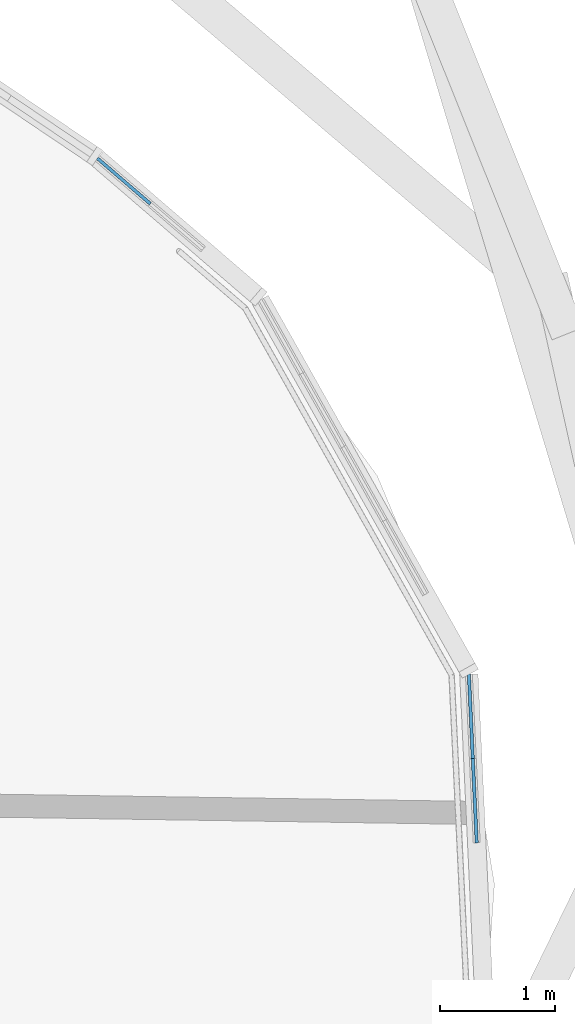
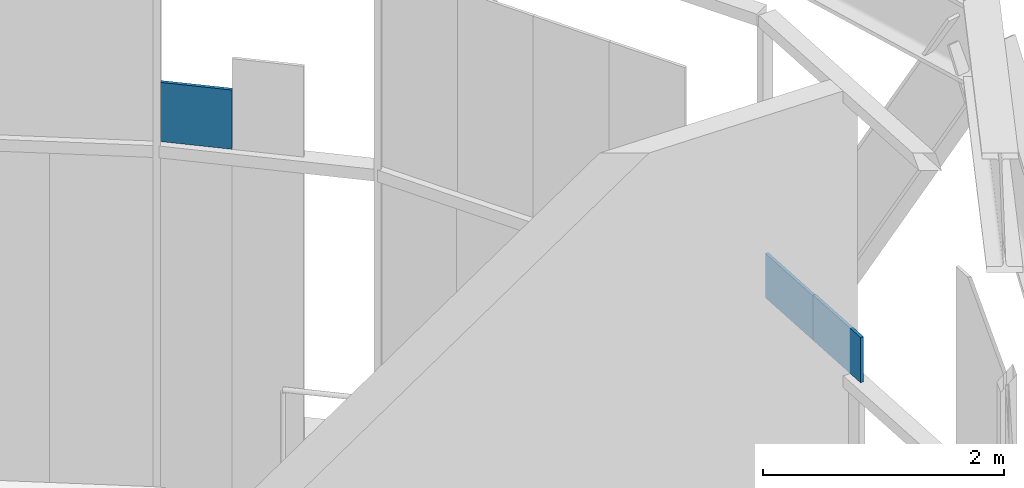
# One storey, part 17 of 24: 3 plates, 1 element without a shape of its own.
"""IFC4 building model written with IfcOpenShell, lengths in metres."""

from ifc_helpers import new_model, si_unit, direction, frame, origin, origin_2d, place, context, subcontext, project, spatial, rectangle, extrude, material, layer, layer_set, type_object, element, aggregate, save


model = new_model("IFC4")

# Units and contexts
model_context = context("Model", 3, precision=1e-05, world=origin(), true_north=direction((0.0, 1.0)))
body_context = subcontext(model_context, "Body", "Model", "MODEL_VIEW")
ifc_project = project(units=[si_unit("LENGTHUNIT", "METRE"), si_unit("AREAUNIT", "SQUARE_METRE"), si_unit("VOLUMEUNIT", "CUBIC_METRE"), si_unit("PLANEANGLEUNIT", "RADIAN"), si_unit("MASSUNIT", "GRAM", prefix="KILO")], contexts=[model_context])

# Site, building, storey
site_placement = place(None, origin())
site = spatial("IfcSite", under=ifc_project, at=site_placement, CompositionType="ELEMENT")
building_placement = place(site_placement, origin())
building = spatial("IfcBuilding", under=site, at=building_placement, Name="Spindle Arch Residences", CompositionType="ELEMENT")
storey_placement = place(building_placement, frame((0.0, 0.0, 219.89990234375)))
storey = spatial("IfcBuildingStorey", under=building, at=storey_placement, Name="L56", CompositionType="ELEMENT", Elevation=219.89990234375)

# Curtain wall, plates
ifc_material_1 = material(Name="Aluminium bronze unitised frame with tinted glass", Category="aluminium")
ifc_layer_1 = layer(ifc_material_1, 0.159912109375)
ifc_layer_set_1 = layer_set([ifc_layer_1], Name="CW-E double-height winter garden wall")
curtain_wall_type = type_object("IfcCurtainWallType", Name="CW-E double-height winter garden wall", PredefinedType="NOTDEFINED", material=ifc_layer_set_1)
curtain_wall_placement = place(storey_placement, origin())
curtain_wall = element("IfcCurtainWall", 1, at=curtain_wall_placement, inside=storey, type_object=curtain_wall_type, Name="CW-E L56 run 1", PredefinedType="NOTDEFINED")
ifc_material_2 = material(Name="Tinted laminated glass 28 mm", Category="glass")
ifc_layer_2 = layer(ifc_material_2, 0.028076171875)
ifc_layer_set_2 = layer_set([ifc_layer_2], Name="Tinted glass panel 28 mm")
plate_type = type_object("IfcPlateType", Name="Tinted glass panel 28 mm", PredefinedType="CURTAIN_PANEL", material=ifc_layer_set_2)
plate_1_placement = place(storey_placement, frame((28.131591796875, -0.322021484375, 3.460205078125), z_axis=(0.0, 0.0, 1.0), x_axis=(-0.046525313877, 0.99891711126, 0.0)))
plate_1 = element("IfcPlate", 2, at=plate_1_placement, type_object=plate_type, Name="CW-E panel 03b.2", PredefinedType="CURTAIN_PANEL", context=body_context, shape_type="SweptSolid", body=[
    extrude(rectangle(XDim=0.7333984375, YDim=0.028076171875, at=origin_2d()), origin(), (0.0, 0.0, 1.0), 0.45947265625),
])
plate_2_placement = place(storey_placement, frame((28.097412109375, 0.41064453125, 3.460205078125), z_axis=(0.0, 0.0, 1.0), x_axis=(-0.046525313877, 0.99891711126, 0.0)))
plate_2 = element("IfcPlate", 3, at=plate_2_placement, type_object=plate_type, Name="CW-E panel 03b.3", PredefinedType="CURTAIN_PANEL", context=body_context, shape_type="SweptSolid", body=[
    extrude(rectangle(XDim=0.7333984375, YDim=0.028076171875, at=origin_2d()), origin(), (0.0, 0.0, 1.0), 0.44921875),
])
plate_3_placement = place(storey_placement, frame((25.08251953125, 5.0615234375, 3.4599609375), z_axis=(0.0, 0.0, 1.0), x_axis=(-0.758513582867, 0.651657229382, 0.0)))
plate_3 = element("IfcPlate", 4, at=plate_3_placement, type_object=plate_type, Name="CW-E panel 05b.2", PredefinedType="CURTAIN_PANEL", context=body_context, shape_type="SweptSolid", body=[
    extrude(rectangle(XDim=0.60546875, YDim=0.028076171875, at=origin_2d()), origin(), (0.0, 0.0, 1.0), 0.60107421875),
])
aggregate(curtain_wall, [plate_1, plate_2, plate_3])

save(model, "model.ifc")
